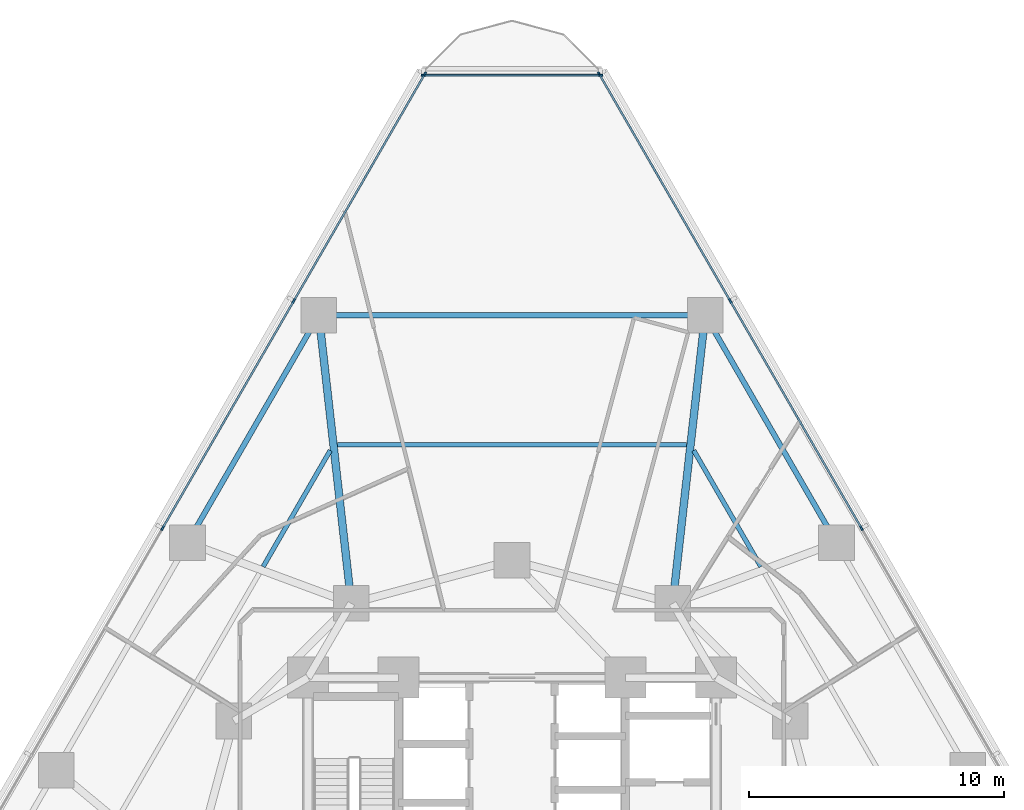
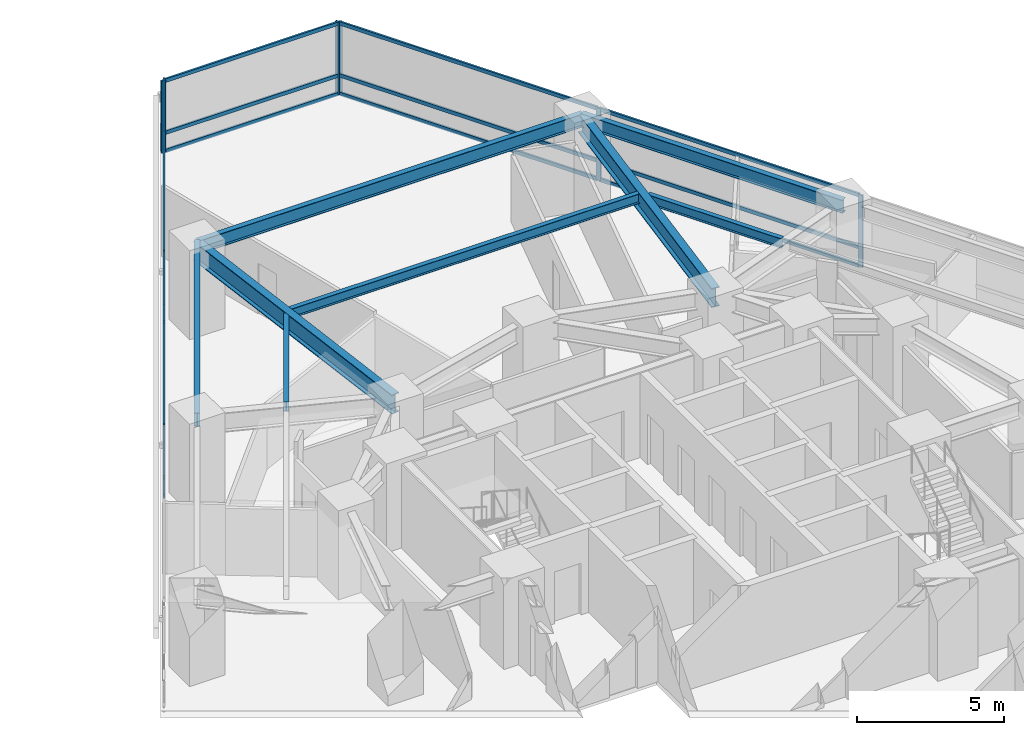
# One storey, part 6 of 16: 23 members, 8 beams, 3 elements without a shape of their own.
"""IFC4 building model written with IfcOpenShell, lengths in metres."""

from ifc_helpers import new_model, si_unit, direction, frame, origin, origin_2d, place, context, subcontext, project, spatial, rectangle, i_section, extrude, material, layer, layer_set, material_profile, profile_set, type_object, element, aggregate, save


model = new_model("IFC4")

# Units and contexts
model_context = context("Model", 3, precision=1e-05, world=origin(), true_north=direction((0.0, 1.0)))
body_context = subcontext(model_context, "Body", "Model", "MODEL_VIEW")
ifc_project = project(units=[si_unit("LENGTHUNIT", "METRE"), si_unit("AREAUNIT", "SQUARE_METRE"), si_unit("VOLUMEUNIT", "CUBIC_METRE"), si_unit("PLANEANGLEUNIT", "RADIAN"), si_unit("MASSUNIT", "GRAM", prefix="KILO")], contexts=[model_context])

# Site, building, storey
site_placement = place(None, origin())
site = spatial("IfcSite", under=ifc_project, at=site_placement, CompositionType="ELEMENT")
building_placement = place(site_placement, origin())
building = spatial("IfcBuilding", under=site, at=building_placement, Name="Terralouvre Media Tower", CompositionType="ELEMENT")
storey_placement = place(building_placement, frame((0.0, 0.0, 29.699951171875)))
storey = spatial("IfcBuildingStorey", under=building, at=storey_placement, Name="L06", CompositionType="ELEMENT", Elevation=29.699951171875)

# Beams
ifc_material_1 = material(Name="Structural steel S355J2", Category="steel")
ifc_material_profile_1 = material_profile(ifc_material_1, i_section(OverallWidth=0.179931640625, OverallDepth=0.39990234375, WebThickness=0.008544921875, FlangeThickness=0.013427734375, at=origin_2d()), Name="IPE 400")
ifc_profile_set_1 = profile_set([ifc_material_profile_1], Name="Structural steel S355J2")
beam_type_1 = type_object("IfcBeamType", Name="Composite Floor Joist J-IPE400 (IPE 400)", PredefinedType="JOIST", material=ifc_profile_set_1)
beam_1_placement = place(storey_placement, frame((9.758544921875, 12.351806640625, 3.300048828125), z_axis=(-0.499984733014, 0.866034218004, 0.0), x_axis=(-0.866034218004, -0.499984733014, 0.0)))
element("IfcBeam", 1, at=beam_1_placement, inside=storey, type_object=beam_type_1, Name="L06 Framing Beam JT-L06-08", PredefinedType="JOIST", context=body_context, shape_type="SweptSolid", body=[
    extrude(i_section(OverallWidth=0.179931640625, OverallDepth=0.39990234375, WebThickness=0.008544921875, FlangeThickness=0.013427734375, at=origin_2d()), origin(), (0.0, 0.0, 1.0), 5.264404296875),
])
beam_2_placement = place(storey_placement, frame((6.85107421875, 17.127685546875, 3.300048828125), z_axis=(-1.0, 0.0, 0.0), x_axis=(0.0, -1.0, 0.0)))
element("IfcBeam", 2, at=beam_2_placement, inside=storey, type_object=beam_type_1, Name="L06 Framing Beam JT-L06-09", PredefinedType="JOIST", context=body_context, shape_type="SweptSolid", body=[
    extrude(i_section(OverallWidth=0.179931640625, OverallDepth=0.39990234375, WebThickness=0.008544921875, FlangeThickness=0.013427734375, at=origin_2d()), origin(), (0.0, 0.0, 1.0), 13.7021484375),
])
beam_3_placement = place(storey_placement, frame((-7.12646484375, 16.910888671875, 3.300048828125), z_axis=(-0.499984733014, -0.866034218004, 0.0), x_axis=(0.866034218004, -0.499984733014, 0.0)))
element("IfcBeam", 3, at=beam_3_placement, inside=storey, type_object=beam_type_1, Name="L06 Framing Beam JT-L06-10", PredefinedType="JOIST", context=body_context, shape_type="SweptSolid", body=[
    extrude(i_section(OverallWidth=0.179931640625, OverallDepth=0.39990234375, WebThickness=0.008544921875, FlangeThickness=0.013427734375, at=origin_2d()), origin(), (0.0, 0.0, 1.0), 5.264404296875),
])

# Curtain wall, members
ifc_material_2 = material(Name="Low-iron laminated double glazing with solar-control coating", Category="glass")
ifc_layer_1 = layer(ifc_material_2, 0.1650390625, Name="Lower Media Tower Unitised Curtain Wall CW-02")
ifc_layer_set_1 = layer_set([ifc_layer_1], Name="Low-iron laminated double glazing with solar-control coating")
curtain_wall_type_1 = type_object("IfcCurtainWallType", Name="Lower Media Tower Unitised Curtain Wall CW-02", PredefinedType="NOTDEFINED", material=ifc_layer_set_1)
curtain_wall_1_placement = place(storey_placement, origin())
curtain_wall_1 = element("IfcCurtainWall", 4, at=curtain_wall_1_placement, inside=storey, type_object=curtain_wall_type_1, Name="L06 Facade Curtain Wall F1", PredefinedType="NOTDEFINED")
ifc_material_3 = material(Name="Anodised extruded aluminium 6063-T6", Category="aluminium")
ifc_material_profile_2 = material_profile(ifc_material_3, rectangle(XDim=0.074951171875, YDim=0.14990234375, at=origin_2d()), Name="ALU 75x150")
ifc_profile_set_2 = profile_set([ifc_material_profile_2], Name="Anodised extruded aluminium 6063-T6")
member_type_1 = type_object("IfcMemberType", Name="Curtain-Wall Horizontal Transom TR-150", PredefinedType="USERDEFINED", material=ifc_profile_set_2)
member_1_placement = place(storey_placement, frame((13.684814453125, 13.890869140625, 0.03759765625), z_axis=(-0.499998717582, 0.866026144187, 0.0), x_axis=(-0.866026144187, -0.499998717582, 0.0)))
member_1 = element("IfcMember", 5, at=member_1_placement, type_object=member_type_1, Name="CW-02 transom 4.1", ObjectType="TRANSOM", PredefinedType="USERDEFINED", context=body_context, shape_type="SweptSolid", body=[
    extrude(rectangle(XDim=0.074951171875, YDim=0.14990234375, at=origin_2d()), origin(), (0.0, 0.0, 1.0), 10.22509765625),
])
member_2_placement = place(storey_placement, frame((13.684814453125, 13.890869140625, 0.800048828125), z_axis=(-0.499998717582, 0.866026144187, 0.0), x_axis=(-0.866026144187, -0.499998717582, 0.0)))
member_2 = element("IfcMember", 6, at=member_2_placement, type_object=member_type_1, Name="CW-02 transom 4.2", ObjectType="TRANSOM", PredefinedType="USERDEFINED", context=body_context, shape_type="SweptSolid", body=[
    extrude(rectangle(XDim=0.074951171875, YDim=0.14990234375, at=origin_2d()), origin(), (0.0, 0.0, 1.0), 10.22509765625),
])
member_3_placement = place(storey_placement, frame((13.684814453125, 13.890869140625, 2.962646484375), z_axis=(-0.499998717582, 0.866026144187, 0.0), x_axis=(-0.866026144187, -0.499998717582, 0.0)))
member_3 = element("IfcMember", 7, at=member_3_placement, type_object=member_type_1, Name="CW-02 transom 4.3", ObjectType="TRANSOM", PredefinedType="USERDEFINED", context=body_context, shape_type="SweptSolid", body=[
    extrude(rectangle(XDim=0.074951171875, YDim=0.14990234375, at=origin_2d()), origin(), (0.0, 0.0, 1.0), 10.22509765625),
])
member_4_placement = place(storey_placement, frame((8.53466796875, 22.81103515625, 0.03759765625), z_axis=(-0.500005272087, 0.866022359922, 0.0), x_axis=(-0.866022359922, -0.500005272087, 0.0)))
member_4 = element("IfcMember", 8, at=member_4_placement, type_object=member_type_1, Name="CW-02 transom 5.1", ObjectType="TRANSOM", PredefinedType="USERDEFINED", context=body_context, shape_type="SweptSolid", body=[
    extrude(rectangle(XDim=0.074951171875, YDim=0.14990234375, at=origin_2d()), origin(), (0.0, 0.0, 1.0), 10.1875),
])
member_5_placement = place(storey_placement, frame((8.53466796875, 22.81103515625, 0.800048828125), z_axis=(-0.500005272087, 0.866022359922, 0.0), x_axis=(-0.866022359922, -0.500005272087, 0.0)))
member_5 = element("IfcMember", 9, at=member_5_placement, type_object=member_type_1, Name="CW-02 transom 5.2", ObjectType="TRANSOM", PredefinedType="USERDEFINED", context=body_context, shape_type="SweptSolid", body=[
    extrude(rectangle(XDim=0.074951171875, YDim=0.14990234375, at=origin_2d()), origin(), (0.0, 0.0, 1.0), 10.1875),
])
member_6_placement = place(storey_placement, frame((8.53466796875, 22.81103515625, 2.962646484375), z_axis=(-0.500005272087, 0.866022359922, 0.0), x_axis=(-0.866022359922, -0.500005272087, 0.0)))
member_6 = element("IfcMember", 10, at=member_6_placement, type_object=member_type_1, Name="CW-02 transom 5.3", ObjectType="TRANSOM", PredefinedType="USERDEFINED", context=body_context, shape_type="SweptSolid", body=[
    extrude(rectangle(XDim=0.074951171875, YDim=0.14990234375, at=origin_2d()), origin(), (0.0, 0.0, 1.0), 10.1875),
])

curtain_wall_2_placement = place(storey_placement, origin())
curtain_wall_2 = element("IfcCurtainWall", 11, at=curtain_wall_2_placement, inside=storey, type_object=curtain_wall_type_1, Name="L06 Facade Curtain Wall F2", PredefinedType="NOTDEFINED")
member_7_placement = place(storey_placement, frame((-3.44091796875, 31.633544921875, 0.03759765625), z_axis=(-0.500005272087, -0.866022359922, 0.0), x_axis=(0.866022359922, -0.500005272087, 0.0)))
member_7 = element("IfcMember", 12, at=member_7_placement, type_object=member_type_1, Name="CW-02 transom 1.1", ObjectType="TRANSOM", PredefinedType="USERDEFINED", context=body_context, shape_type="SweptSolid", body=[
    extrude(rectangle(XDim=0.074951171875, YDim=0.14990234375, at=origin_2d()), origin(), (0.0, 0.0, 1.0), 10.1875),
])
member_8_placement = place(storey_placement, frame((-3.44091796875, 31.633544921875, 0.800048828125), z_axis=(-0.500005272087, -0.866022359922, 0.0), x_axis=(0.866022359922, -0.500005272087, 0.0)))
member_8 = element("IfcMember", 13, at=member_8_placement, type_object=member_type_1, Name="CW-02 transom 1.2", ObjectType="TRANSOM", PredefinedType="USERDEFINED", context=body_context, shape_type="SweptSolid", body=[
    extrude(rectangle(XDim=0.074951171875, YDim=0.14990234375, at=origin_2d()), origin(), (0.0, 0.0, 1.0), 10.1875),
])
member_9_placement = place(storey_placement, frame((-3.44091796875, 31.633544921875, 2.962646484375), z_axis=(-0.500005272087, -0.866022359922, 0.0), x_axis=(0.866022359922, -0.500005272087, 0.0)))
member_9 = element("IfcMember", 14, at=member_9_placement, type_object=member_type_1, Name="CW-02 transom 1.3", ObjectType="TRANSOM", PredefinedType="USERDEFINED", context=body_context, shape_type="SweptSolid", body=[
    extrude(rectangle(XDim=0.074951171875, YDim=0.14990234375, at=origin_2d()), origin(), (0.0, 0.0, 1.0), 10.1875),
])
member_10_placement = place(storey_placement, frame((-8.572265625, 22.74609375, 0.03759765625), z_axis=(-0.499998717582, -0.866026144187, 0.0), x_axis=(0.866026144187, -0.499998717582, 0.0)))
member_10 = element("IfcMember", 15, at=member_10_placement, type_object=member_type_1, Name="CW-02 transom 2.1", ObjectType="TRANSOM", PredefinedType="USERDEFINED", context=body_context, shape_type="SweptSolid", body=[
    extrude(rectangle(XDim=0.074951171875, YDim=0.14990234375, at=origin_2d()), origin(), (0.0, 0.0, 1.0), 10.22509765625),
])
member_11_placement = place(storey_placement, frame((-8.572265625, 22.74609375, 0.800048828125), z_axis=(-0.499998717582, -0.866026144187, 0.0), x_axis=(0.866026144187, -0.499998717582, 0.0)))
member_11 = element("IfcMember", 16, at=member_11_placement, type_object=member_type_1, Name="CW-02 transom 2.2", ObjectType="TRANSOM", PredefinedType="USERDEFINED", context=body_context, shape_type="SweptSolid", body=[
    extrude(rectangle(XDim=0.074951171875, YDim=0.14990234375, at=origin_2d()), origin(), (0.0, 0.0, 1.0), 10.22509765625),
])
member_12_placement = place(storey_placement, frame((-8.572265625, 22.74609375, 2.962646484375), z_axis=(-0.499998717582, -0.866026144187, 0.0), x_axis=(0.866026144187, -0.499998717582, 0.0)))
member_12 = element("IfcMember", 17, at=member_12_placement, type_object=member_type_1, Name="CW-02 transom 2.3", ObjectType="TRANSOM", PredefinedType="USERDEFINED", context=body_context, shape_type="SweptSolid", body=[
    extrude(rectangle(XDim=0.074951171875, YDim=0.14990234375, at=origin_2d()), origin(), (0.0, 0.0, 1.0), 10.22509765625),
])

ifc_material_4 = material(Name="Low-iron laminated double glazing with solar-control coating", Category="glass")
ifc_layer_2 = layer(ifc_material_4, 0.1650390625, Name="Rounded Wind-Corner Curved Glazing CW-04")
ifc_layer_set_2 = layer_set([ifc_layer_2], Name="Low-iron laminated double glazing with solar-control coating")
curtain_wall_type_2 = type_object("IfcCurtainWallType", Name="Rounded Wind-Corner Curved Glazing CW-04", PredefinedType="NOTDEFINED", material=ifc_layer_set_2)
curtain_wall_3_placement = place(storey_placement, origin())
curtain_wall_3 = element("IfcCurtainWall", 18, at=curtain_wall_3_placement, inside=storey, type_object=curtain_wall_type_2, Name="L06 Rounded Wind-Corner Curtain Wall C2", PredefinedType="NOTDEFINED")
member_13_placement = place(storey_placement, frame((3.432373046875, 31.61865234375, 0.03759765625), z_axis=(-1.0, 0.0, 0.0), x_axis=(0.0, -1.0, 0.0)))
member_13 = element("IfcMember", 19, at=member_13_placement, type_object=member_type_1, Name="CW-04 transom 1.1", ObjectType="TRANSOM", PredefinedType="USERDEFINED", context=body_context, shape_type="SweptSolid", body=[
    extrude(rectangle(XDim=0.074951171875, YDim=0.14990234375, at=origin_2d()), origin(), (0.0, 0.0, 1.0), 6.86474609375),
])
member_14_placement = place(storey_placement, frame((3.432373046875, 31.61865234375, 0.800048828125), z_axis=(-1.0, 0.0, 0.0), x_axis=(0.0, -1.0, 0.0)))
member_14 = element("IfcMember", 20, at=member_14_placement, type_object=member_type_1, Name="CW-04 transom 1.2", ObjectType="TRANSOM", PredefinedType="USERDEFINED", context=body_context, shape_type="SweptSolid", body=[
    extrude(rectangle(XDim=0.074951171875, YDim=0.14990234375, at=origin_2d()), origin(), (0.0, 0.0, 1.0), 6.86474609375),
])
member_15_placement = place(storey_placement, frame((3.432373046875, 31.61865234375, 2.962646484375), z_axis=(-1.0, 0.0, 0.0), x_axis=(0.0, -1.0, 0.0)))
member_15 = element("IfcMember", 21, at=member_15_placement, type_object=member_type_1, Name="CW-04 transom 1.3", ObjectType="TRANSOM", PredefinedType="USERDEFINED", context=body_context, shape_type="SweptSolid", body=[
    extrude(rectangle(XDim=0.074951171875, YDim=0.14990234375, at=origin_2d()), origin(), (0.0, 0.0, 1.0), 6.86474609375),
])

# Member
ifc_material_5 = material(Name="Anodised extruded aluminium 6063-T6", Category="aluminium")
ifc_material_profile_3 = material_profile(ifc_material_5, rectangle(XDim=0.074951171875, YDim=0.179931640625, at=origin_2d()), Name="ALU 75x180")
ifc_profile_set_3 = profile_set([ifc_material_profile_3], Name="Anodised extruded aluminium 6063-T6")
member_type_2 = type_object("IfcMemberType", Name="Curtain-Wall Vertical Mullion ML-180", PredefinedType="MULLION", material=ifc_profile_set_3)
member_16_placement = place(storey_placement, frame((13.703369140625, 13.8583984375, 0.0), z_axis=(0.0, 0.0, 1.0), x_axis=(-0.866025412057, -0.499999985671, 0.0)))
member_16 = element("IfcMember", 22, at=member_16_placement, type_object=member_type_2, Name="CW-02 mullion 4", PredefinedType="MULLION", context=body_context, shape_type="SweptSolid", body=[
    extrude(rectangle(XDim=0.074951171875, YDim=0.179931640625, at=origin_2d()), origin(), (0.0, 0.0, 1.0), 3.0),
])

member_17_placement = place(storey_placement, frame((8.553466796875, 22.778564453125, 0.0), z_axis=(0.0, 0.0, 1.0), x_axis=(-0.866025412057, -0.499999985671, 0.0)))
member_17 = element("IfcMember", 23, at=member_17_placement, type_object=member_type_2, Name="CW-02 mullion 5", PredefinedType="MULLION", context=body_context, shape_type="SweptSolid", body=[
    extrude(rectangle(XDim=0.074951171875, YDim=0.179931640625, at=origin_2d()), origin(), (0.0, 0.0, 1.0), 3.0),
])

member_18_placement = place(storey_placement, frame((3.422119140625, 31.666015625, 0.0), z_axis=(0.0, 0.0, 1.0), x_axis=(-0.866025412057, -0.499999985671, 0.0)))
member_18 = element("IfcMember", 24, at=member_18_placement, type_object=member_type_2, Name="CW-02 mullion 6", PredefinedType="MULLION", context=body_context, shape_type="SweptSolid", body=[
    extrude(rectangle(XDim=0.074951171875, YDim=0.179931640625, at=origin_2d()), origin(), (0.0, 0.0, 1.0), 3.0),
])

aggregate(curtain_wall_1, [member_16, member_17, member_18, member_1, member_2, member_3, member_4, member_5, member_6])

member_19_placement = place(storey_placement, frame((-3.422119140625, 31.666015625, 0.0), z_axis=(0.0, 0.0, 1.0), x_axis=(0.866025412057, -0.499999985671, 0.0)))
member_19 = element("IfcMember", 25, at=member_19_placement, type_object=member_type_2, Name="CW-02 mullion 1", PredefinedType="MULLION", context=body_context, shape_type="SweptSolid", body=[
    extrude(rectangle(XDim=0.074951171875, YDim=0.179931640625, at=origin_2d()), origin(), (0.0, 0.0, 1.0), 3.0),
])

member_20_placement = place(storey_placement, frame((-8.553466796875, 22.778564453125, 0.0), z_axis=(0.0, 0.0, 1.0), x_axis=(0.866025412057, -0.499999985671, 0.0)))
member_20 = element("IfcMember", 26, at=member_20_placement, type_object=member_type_2, Name="CW-02 mullion 2", PredefinedType="MULLION", context=body_context, shape_type="SweptSolid", body=[
    extrude(rectangle(XDim=0.074951171875, YDim=0.179931640625, at=origin_2d()), origin(), (0.0, 0.0, 1.0), 3.0),
])

member_21_placement = place(storey_placement, frame((-13.703369140625, 13.8583984375, 0.0), z_axis=(0.0, 0.0, 1.0), x_axis=(0.866025412057, -0.499999985671, 0.0)))
member_21 = element("IfcMember", 27, at=member_21_placement, type_object=member_type_2, Name="CW-02 mullion 3", PredefinedType="MULLION", context=body_context, shape_type="SweptSolid", body=[
    extrude(rectangle(XDim=0.074951171875, YDim=0.179931640625, at=origin_2d()), origin(), (0.0, 0.0, 1.0), 3.0),
])

aggregate(curtain_wall_2, [member_19, member_20, member_21, member_7, member_8, member_9, member_10, member_11, member_12])

member_22_placement = place(storey_placement, frame((3.469970703125, 31.61865234375, 0.0), z_axis=(0.0, 0.0, 1.0), x_axis=(0.0, -1.0, 0.0)))
member_22 = element("IfcMember", 28, at=member_22_placement, type_object=member_type_2, Name="CW-04 mullion 1", PredefinedType="MULLION", context=body_context, shape_type="SweptSolid", body=[
    extrude(rectangle(XDim=0.074951171875, YDim=0.179931640625, at=origin_2d()), origin(), (0.0, 0.0, 1.0), 3.0),
])

member_23_placement = place(storey_placement, frame((-3.469970703125, 31.61865234375, 0.0), z_axis=(0.0, 0.0, 1.0), x_axis=(0.0, -1.0, 0.0)))
member_23 = element("IfcMember", 29, at=member_23_placement, type_object=member_type_2, Name="CW-04 mullion 2", PredefinedType="MULLION", context=body_context, shape_type="SweptSolid", body=[
    extrude(rectangle(XDim=0.074951171875, YDim=0.179931640625, at=origin_2d()), origin(), (0.0, 0.0, 1.0), 3.0),
])

aggregate(curtain_wall_3, [member_22, member_23, member_13, member_14, member_15])

# Beams
ifc_material_6 = material(Name="Structural steel S355J2", Category="steel")
ifc_material_profile_4 = material_profile(ifc_material_6, i_section(OverallWidth=0.2099609375, OverallDepth=0.550048828125, WebThickness=0.010986328125, FlangeThickness=0.01708984375, at=origin_2d()), Name="IPE 550")
ifc_profile_set_4 = profile_set([ifc_material_profile_4], Name="Structural steel S355J2")
beam_type_2 = type_object("IfcBeamType", Name="Perimeter Spandrel Beam SPB-550 (IPE 550)", PredefinedType="SPANDREL", material=ifc_profile_set_4)
beam_4_placement = place(storey_placement, frame((12.724853515625, 13.29345703125, 3.22509765625), z_axis=(-0.499998765615, 0.866026116456, 0.0), x_axis=(-0.866026116456, -0.499998765615, 0.0)))
element("IfcBeam", 30, at=beam_4_placement, inside=storey, type_object=beam_type_2, Name="L06 Framing Beam BM-L06-PR08", PredefinedType="SPANDREL", context=body_context, shape_type="SweptSolid", body=[
    extrude(i_section(OverallWidth=0.2099609375, OverallDepth=0.550048828125, WebThickness=0.010986328125, FlangeThickness=0.01708984375, at=origin_2d()), origin(), (0.0, 0.0, 1.0), 10.2998046875),
])
beam_5_placement = place(storey_placement, frame((7.574951171875, 22.21337890625, 3.22509765625), z_axis=(-1.0, 0.0, 0.0), x_axis=(0.0, -1.0, 0.0)))
element("IfcBeam", 31, at=beam_5_placement, inside=storey, type_object=beam_type_2, Name="L06 Framing Beam BM-L06-PR09", PredefinedType="SPANDREL", context=body_context, shape_type="SweptSolid", body=[
    extrude(i_section(OverallWidth=0.2099609375, OverallDepth=0.550048828125, WebThickness=0.010986328125, FlangeThickness=0.01708984375, at=origin_2d()), origin(), (0.0, 0.0, 1.0), 15.14990234375),
])
beam_6_placement = place(storey_placement, frame((-7.574951171875, 22.21337890625, 3.22509765625), z_axis=(-0.499998765615, -0.866026116456, 0.0), x_axis=(0.866026116456, -0.499998765615, 0.0)))
element("IfcBeam", 32, at=beam_6_placement, inside=storey, type_object=beam_type_2, Name="L06 Framing Beam BM-L06-PR10", PredefinedType="SPANDREL", context=body_context, shape_type="SweptSolid", body=[
    extrude(i_section(OverallWidth=0.2099609375, OverallDepth=0.550048828125, WebThickness=0.010986328125, FlangeThickness=0.01708984375, at=origin_2d()), origin(), (0.0, 0.0, 1.0), 10.2998046875),
])
ifc_material_7 = material(Name="Structural steel S460M", Category="steel")
ifc_material_profile_5 = material_profile(ifc_material_7, i_section(OverallWidth=0.300048828125, OverallDepth=0.800048828125, WebThickness=0.017578125, FlangeThickness=0.032958984375, at=origin_2d()), Name="HEB 800")
ifc_profile_set_5 = profile_set([ifc_material_profile_5], Name="Structural steel S460M")
beam_type_3 = type_object("IfcBeamType", Name="Primary Floor Girder B-HEB800 (HEB 800)", PredefinedType="BEAM", material=ifc_profile_set_5)
for number, where, z_axis, x_axis, name in (
    (33, (6.300048828125, 10.911865234375, 3.10009765625), (0.112097104782, 0.993697257267, 0.0), (-0.993697257267, 0.112097104782, 0.0), "L06 Framing Beam BM-L06-RD09"),
    (34, (-6.300048828125, 10.911865234375, 3.10009765625), (-0.112097104782, 0.993697257267, 0.0), (-0.993697257267, -0.112097104782, 0.0), "L06 Framing Beam BM-L06-RD10"),
):
    element("IfcBeam", number, at=place(storey_placement, frame(where, z_axis=z_axis, x_axis=x_axis)), inside=storey, type_object=beam_type_3, Name=name, PredefinedType="BEAM", context=body_context, shape_type="SweptSolid", body=[
        extrude(i_section(OverallWidth=0.300048828125, OverallDepth=0.800048828125, WebThickness=0.017578125, FlangeThickness=0.032958984375, at=origin_2d()), origin(), (0.0, 0.0, 1.0), 11.373291015625),
    ])

save(model, "model.ifc")
